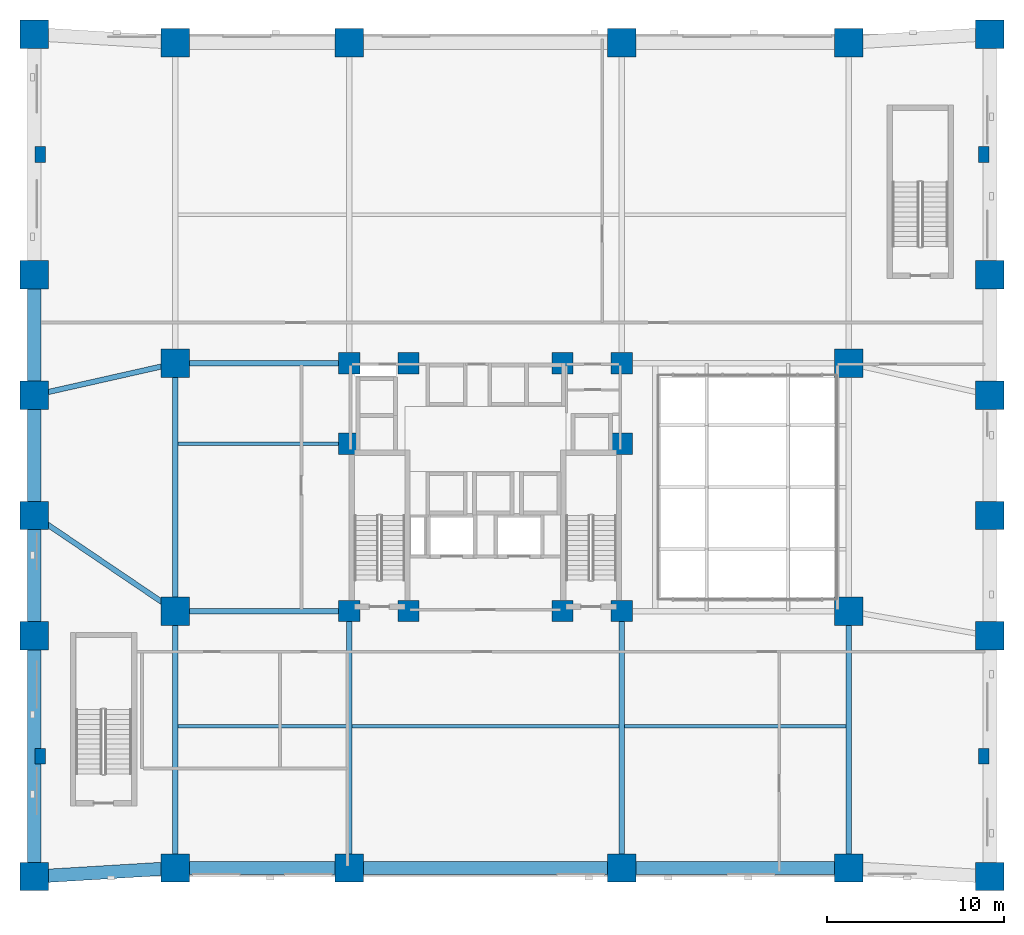
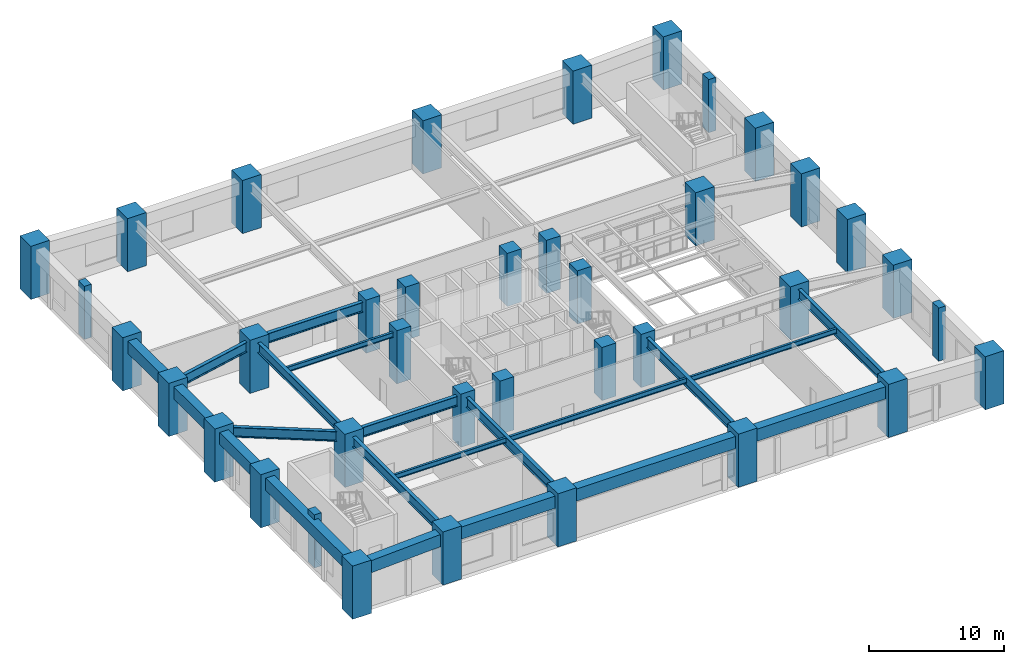
# One storey, part 1 of 11: 38 columns, 21 beams.
"""IFC4 building model written with IfcOpenShell, lengths in metres."""

from ifc_helpers import new_model, si_unit, derived_unit, direction, frame, origin, origin_2d, place, context, subcontext, project, spatial, rectangle, i_section, extrude, material, material_profile, profile_set, type_object, element, save


model = new_model("IFC4")

# Units and contexts
model_context = context("Model", 3, precision=1e-05, world=origin(), true_north=direction((0.0, 1.0)))
body_context = subcontext(model_context, "Body", "Model", "MODEL_VIEW")
ifc_project = project(units=[si_unit("LENGTHUNIT", "METRE"), si_unit("AREAUNIT", "SQUARE_METRE"), si_unit("VOLUMEUNIT", "CUBIC_METRE"), si_unit("PLANEANGLEUNIT", "RADIAN"), si_unit("MASSUNIT", "GRAM", prefix="KILO"), derived_unit("THERMALTRANSMITTANCEUNIT", [(si_unit("MASSUNIT", "GRAM", prefix="KILO"), 1), (si_unit("TIMEUNIT", "SECOND"), -3), (si_unit("THERMODYNAMICTEMPERATUREUNIT", "KELVIN"), -1)])], contexts=[model_context])

# Site, building, storey
site_placement = place(None, origin())
site = spatial("IfcSite", under=ifc_project, at=site_placement, CompositionType="ELEMENT")
building_placement = place(site_placement, origin())
building = spatial("IfcBuilding", under=site, at=building_placement, Name="Korrvale Station Residences", CompositionType="ELEMENT")
storey_placement = place(building_placement, frame((0.0, 0.0, 16.0)))
storey = spatial("IfcBuildingStorey", under=building, at=storey_placement, Name="L03", CompositionType="ELEMENT", Elevation=16.0)

# Columns
ifc_material_1 = material(Name="Concrete C70/85", Category="concrete")
ifc_material_profile_1 = material_profile(ifc_material_1, rectangle(XDim=1.199951171875, YDim=1.199951171875, at=origin_2d()), Name="RC1200x1200")
ifc_profile_set_1 = profile_set([ifc_material_profile_1], Name="Concrete C70/85")
column_type_1 = type_object("IfcColumnType", Name="COL-C-RC1200x1200-C7085", PredefinedType="COLUMN", material=ifc_profile_set_1)
for number, where, z_axis, x_axis, name in (
    (1, (17.800048828125, 15.0, 0.0), (0.0, 0.0, 1.0), (1.0, 0.0, 0.0), "L03 Core Column 25"),
    (2, (21.14990234375, 15.0, 0.0), (0.0, 0.0, 1.0), (1.0, 0.0, 0.0), "L03 Core Column 26"),
    (3, (29.85009765625, 15.0, 0.0), (0.0, 0.0, 1.0), (1.0, 0.0, 0.0), "L03 Core Column 27"),
    (4, (33.199951171875, 15.0, 0.0), (0.0, 0.0, 1.0), (1.0, 0.0, 0.0), "L03 Core Column 28"),
    (5, (17.800048828125, 29.0, 0.0), (0.0, 0.0, 1.0), (1.0, 0.0, 0.0), "L03 Core Column 29"),
    (6, (21.14990234375, 29.0, 0.0), (0.0, 0.0, 1.0), (1.0, 0.0, 0.0), "L03 Core Column 30"),
    (7, (29.85009765625, 29.0, 0.0), (0.0, 0.0, 1.0), (1.0, 0.0, 0.0), "L03 Core Column 31"),
    (8, (33.199951171875, 29.0, 0.0), (0.0, 0.0, 1.0), (1.0, 0.0, 0.0), "L03 Core Column 32"),
    (9, (17.800048828125, 24.449951171875, 0.0), (0.0, 0.0, 1.0), (1.0, 0.0, 0.0), "L03 Core Column 33"),
    (10, (33.199951171875, 24.449951171875, 0.0), (0.0, 0.0, 1.0), (1.0, 0.0, 0.0), "L03 Core Column 34"),
):
    element("IfcColumn", number, at=place(storey_placement, frame(where, z_axis=z_axis, x_axis=x_axis)), inside=storey, type_object=column_type_1, Name=name, PredefinedType="COLUMN", context=body_context, shape_type="SweptSolid", body=[
        extrude(rectangle(XDim=1.199951171875, YDim=1.199951171875, at=origin_2d()), origin(), (0.0, 0.0, 1.0), 4.800048828125),
    ])
ifc_material_profile_2 = material_profile(ifc_material_1, rectangle(XDim=1.60009765625, YDim=1.60009765625, at=origin_2d()), Name="RC1600x1600")
ifc_profile_set_2 = profile_set([ifc_material_profile_2], Name="Concrete C70/85")
column_type_2 = type_object("IfcColumnType", Name="COL-C-RC1600x1600-C7085", PredefinedType="COLUMN", material=ifc_profile_set_2)
for number, where, z_axis, x_axis, name in (
    (11, (0.0, 0.0, 0.0), (0.0, 0.0, 1.0), (1.0, 0.0, 0.0), "L03 Station Mega-Column 01"),
    (12, (0.0, 13.60009765625, 0.0), (0.0, 0.0, 1.0), (1.0, 0.0, 0.0), "L03 Station Mega-Column 02"),
    (13, (0.0, 20.39990234375, 0.0), (0.0, 0.0, 1.0), (1.0, 0.0, 0.0), "L03 Station Mega-Column 03"),
    (14, (0.0, 27.199951171875, 0.0), (0.0, 0.0, 1.0), (1.0, 0.0, 0.0), "L03 Station Mega-Column 04"),
    (15, (0.0, 34.0, 0.0), (0.0, 0.0, 1.0), (1.0, 0.0, 0.0), "L03 Station Mega-Column 05"),
    (16, (0.0, 47.60009765625, 0.0), (0.0, 0.0, 1.0), (1.0, 0.0, 0.0), "L03 Station Mega-Column 06"),
    (17, (54.0, 0.0, 0.0), (0.0, 0.0, 1.0), (1.0, 0.0, 0.0), "L03 Station Mega-Column 07"),
    (18, (54.0, 13.60009765625, 0.0), (0.0, 0.0, 1.0), (1.0, 0.0, 0.0), "L03 Station Mega-Column 08"),
    (19, (54.0, 20.39990234375, 0.0), (0.0, 0.0, 1.0), (1.0, 0.0, 0.0), "L03 Station Mega-Column 09"),
    (20, (54.0, 27.199951171875, 0.0), (0.0, 0.0, 1.0), (1.0, 0.0, 0.0), "L03 Station Mega-Column 10"),
    (21, (54.0, 34.0, 0.0), (0.0, 0.0, 1.0), (1.0, 0.0, 0.0), "L03 Station Mega-Column 11"),
    (22, (54.0, 47.60009765625, 0.0), (0.0, 0.0, 1.0), (1.0, 0.0, 0.0), "L03 Station Mega-Column 12"),
    (23, (7.97998046875, 0.47998046875, 0.0), (0.0, 0.0, 1.0), (1.0, 0.0, 0.0), "L03 Station Mega-Column 13"),
    (24, (7.97998046875, 15.0, 0.0), (0.0, 0.0, 1.0), (1.0, 0.0, 0.0), "L03 Station Mega-Column 14"),
    (25, (7.97998046875, 29.0, 0.0), (0.0, 0.0, 1.0), (1.0, 0.0, 0.0), "L03 Station Mega-Column 15"),
    (26, (7.97998046875, 47.1201171875, 0.0), (0.0, 0.0, 1.0), (1.0, 0.0, 0.0), "L03 Station Mega-Column 16"),
    (27, (46.02001953125, 0.47998046875, 0.0), (0.0, 0.0, 1.0), (1.0, 0.0, 0.0), "L03 Station Mega-Column 17"),
    (28, (46.02001953125, 15.0, 0.0), (0.0, 0.0, 1.0), (1.0, 0.0, 0.0), "L03 Station Mega-Column 18"),
    (29, (46.02001953125, 29.0, 0.0), (0.0, 0.0, 1.0), (1.0, 0.0, 0.0), "L03 Station Mega-Column 19"),
    (30, (46.02001953125, 47.1201171875, 0.0), (0.0, 0.0, 1.0), (1.0, 0.0, 0.0), "L03 Station Mega-Column 20"),
    (31, (17.800048828125, 0.47998046875, 0.0), (0.0, 0.0, 1.0), (1.0, 0.0, 0.0), "L03 Station Mega-Column 21"),
    (32, (17.800048828125, 47.1201171875, 0.0), (0.0, 0.0, 1.0), (1.0, 0.0, 0.0), "L03 Station Mega-Column 22"),
    (33, (33.199951171875, 0.47998046875, 0.0), (0.0, 0.0, 1.0), (1.0, 0.0, 0.0), "L03 Station Mega-Column 23"),
    (34, (33.199951171875, 47.1201171875, 0.0), (0.0, 0.0, 1.0), (1.0, 0.0, 0.0), "L03 Station Mega-Column 24"),
):
    element("IfcColumn", number, at=place(storey_placement, frame(where, z_axis=z_axis, x_axis=x_axis)), inside=storey, type_object=column_type_2, Name=name, PredefinedType="COLUMN", context=body_context, shape_type="SweptSolid", body=[
        extrude(rectangle(XDim=1.60009765625, YDim=1.60009765625, at=origin_2d()), origin(), (0.0, 0.0, 1.0), 4.800048828125),
    ])
ifc_material_profile_3 = material_profile(ifc_material_1, rectangle(XDim=0.60009765625, YDim=0.89990234375, at=origin_2d()), Name="RC600x900")
ifc_profile_set_3 = profile_set([ifc_material_profile_3], Name="Concrete C70/85")
column_type_3 = type_object("IfcColumnType", Name="COL-PIL-RC600x900-C7085", PredefinedType="PILASTER", material=ifc_profile_set_3)
for number, where, z_axis, x_axis, name in (
    (35, (0.35009765625, 6.800048828125, 0.0), (0.0, 0.0, 1.0), (1.0, 0.0, 0.0), "L03 Concourse Portal Wall Pilaster 1"),
    (36, (0.35009765625, 40.800048828125, 0.0), (0.0, 0.0, 1.0), (1.0, 0.0, 0.0), "L03 Concourse Portal Wall Pilaster 2"),
    (37, (53.64990234375, 6.800048828125, 0.0), (0.0, 0.0, 1.0), (1.0, 0.0, 0.0), "L03 Concourse Portal Wall Pilaster 3"),
    (38, (53.64990234375, 40.800048828125, 0.0), (0.0, 0.0, 1.0), (1.0, 0.0, 0.0), "L03 Concourse Portal Wall Pilaster 4"),
):
    element("IfcColumn", number, at=place(storey_placement, frame(where, z_axis=z_axis, x_axis=x_axis)), inside=storey, type_object=column_type_3, Name=name, PredefinedType="PILASTER", context=body_context, shape_type="SweptSolid", body=[
        extrude(rectangle(XDim=0.60009765625, YDim=0.89990234375, at=origin_2d()), origin(), (0.0, 0.0, 1.0), 4.800048828125),
    ])

# Beams
ifc_material_2 = material(Name="Steel S355", Category="steel")
ifc_material_profile_4 = material_profile(ifc_material_2, i_section(OverallWidth=0.300048828125, OverallDepth=0.89990234375, WebThickness=0.01611328125, FlangeThickness=0.030029296875, FilletRadius=0.01611328125, at=origin_2d()), Name="WWF900x262")
ifc_profile_set_4 = profile_set([ifc_material_profile_4], Name="Steel S355")
beam_type_1 = type_object("IfcBeamType", Name="BM-BM-WWF900x262-S355", PredefinedType="BEAM", material=ifc_profile_set_4)
beam_1_placement = place(storey_placement, frame((7.97998046875, 0.47998046875, 3.89990234375), z_axis=(0.0, 1.0, 0.0), x_axis=(-1.0, 0.0, 0.0)))
element("IfcBeam", 39, at=beam_1_placement, inside=storey, type_object=beam_type_1, Name="L03 Station Primary Girder 01", PredefinedType="BEAM", context=body_context, shape_type="SweptSolid", body=[
    extrude(i_section(OverallWidth=0.300048828125, OverallDepth=0.89990234375, WebThickness=0.01611328125, FlangeThickness=0.030029296875, FilletRadius=0.01611328125, at=origin_2d()), origin(), (0.0, 0.0, 1.0), 14.52001953125),
])
beam_2_placement = place(storey_placement, frame((7.97998046875, 15.0, 3.89990234375), z_axis=(0.0, 1.0, 0.0), x_axis=(-1.0, 0.0, 0.0)))
element("IfcBeam", 40, at=beam_2_placement, inside=storey, type_object=beam_type_1, Name="L03 Station Primary Girder 02", PredefinedType="BEAM", context=body_context, shape_type="SweptSolid", body=[
    extrude(i_section(OverallWidth=0.300048828125, OverallDepth=0.89990234375, WebThickness=0.01611328125, FlangeThickness=0.030029296875, FilletRadius=0.01611328125, at=origin_2d()), origin(), (0.0, 0.0, 1.0), 14.0),
])
beam_3_placement = place(storey_placement, frame((46.02001953125, 0.47998046875, 3.89990234375), z_axis=(0.0, 1.0, 0.0), x_axis=(-1.0, 0.0, 0.0)))
element("IfcBeam", 41, at=beam_3_placement, inside=storey, type_object=beam_type_1, Name="L03 Station Primary Girder 04", PredefinedType="BEAM", context=body_context, shape_type="SweptSolid", body=[
    extrude(i_section(OverallWidth=0.300048828125, OverallDepth=0.89990234375, WebThickness=0.01611328125, FlangeThickness=0.030029296875, FilletRadius=0.01611328125, at=origin_2d()), origin(), (0.0, 0.0, 1.0), 14.52001953125),
])
for number, where, z_axis, x_axis, name in (
    (42, (7.97998046875, 15.0, 3.89990234375), (1.0, 0.0, 0.0), (0.0, 1.0, 0.0), "L03 Station Primary Girder 07"),
    (43, (7.97998046875, 29.0, 3.89990234375), (1.0, 0.0, 0.0), (0.0, 1.0, 0.0), "L03 Station Primary Girder 08"),
):
    element("IfcBeam", number, at=place(storey_placement, frame(where, z_axis=z_axis, x_axis=x_axis)), inside=storey, type_object=beam_type_1, Name=name, PredefinedType="BEAM", context=body_context, shape_type="SweptSolid", body=[
        extrude(i_section(OverallWidth=0.300048828125, OverallDepth=0.89990234375, WebThickness=0.01611328125, FlangeThickness=0.030029296875, FilletRadius=0.01611328125, at=origin_2d()), origin(), (0.0, 0.0, 1.0), 9.820068359375),
    ])
beam_4_placement = place(storey_placement, frame((0.0, 20.39990234375, 3.89990234375), z_axis=(0.828202472812, -0.560428999989, 0.0), x_axis=(0.560428999989, 0.828202472812, 0.0)))
element("IfcBeam", 44, at=beam_4_placement, inside=storey, type_object=beam_type_1, Name="L03 Station Primary Girder 11", PredefinedType="BEAM", context=body_context, shape_type="SweptSolid", body=[
    extrude(i_section(OverallWidth=0.300048828125, OverallDepth=0.89990234375, WebThickness=0.01611328125, FlangeThickness=0.030029296875, FilletRadius=0.01611328125, at=origin_2d()), origin(), (0.0, 0.0, 1.0), 9.63525390625),
])
beam_5_placement = place(storey_placement, frame((0.0, 27.199951171875, 3.89990234375), z_axis=(0.975490412643, 0.220041938824, 0.0), x_axis=(-0.220041938824, 0.975490412643, 0.0)))
element("IfcBeam", 45, at=beam_5_placement, inside=storey, type_object=beam_type_1, Name="L03 Station Primary Girder 12", PredefinedType="BEAM", context=body_context, shape_type="SweptSolid", body=[
    extrude(i_section(OverallWidth=0.300048828125, OverallDepth=0.89990234375, WebThickness=0.01611328125, FlangeThickness=0.030029296875, FilletRadius=0.01611328125, at=origin_2d()), origin(), (0.0, 0.0, 1.0), 8.180419921875),
])
for number, where, z_axis, x_axis, name in (
    (46, (17.800048828125, 0.47998046875, 3.89990234375), (0.0, 1.0, 0.0), (-1.0, 0.0, 0.0), "L03 Station Primary Girder 17"),
    (47, (33.199951171875, 0.47998046875, 3.89990234375), (0.0, 1.0, 0.0), (-1.0, 0.0, 0.0), "L03 Station Primary Girder 18"),
):
    element("IfcBeam", number, at=place(storey_placement, frame(where, z_axis=z_axis, x_axis=x_axis)), inside=storey, type_object=beam_type_1, Name=name, PredefinedType="BEAM", context=body_context, shape_type="SweptSolid", body=[
        extrude(i_section(OverallWidth=0.300048828125, OverallDepth=0.89990234375, WebThickness=0.01611328125, FlangeThickness=0.030029296875, FilletRadius=0.01611328125, at=origin_2d()), origin(), (0.0, 0.0, 1.0), 14.52001953125),
    ])
ifc_material_profile_5 = material_profile(ifc_material_2, i_section(OverallWidth=0.18994140625, OverallDepth=0.45703125, WebThickness=0.009033203125, FlangeThickness=0.014404296875, FilletRadius=0.01611328125, at=origin_2d()), Name="W460x74")
ifc_profile_set_5 = profile_set([ifc_material_profile_5], Name="Steel S355")
beam_type_2 = type_object("IfcBeamType", Name="BM-JST-W460x74-S355", PredefinedType="JOIST", material=ifc_profile_set_5)
for number, where, z_axis, x_axis, name in (
    (48, (8.1298828125, 24.449951171875, 4.12158203125), (1.0, 0.0, 0.0), (0.0, 1.0, 0.0), "L03 Station Floor Joist 04"),
    (49, (8.1298828125, 8.5, 4.12158203125), (1.0, 0.0, 0.0), (0.0, 1.0, 0.0), "L03 Station Floor Joist 05"),
):
    element("IfcBeam", number, at=place(storey_placement, frame(where, z_axis=z_axis, x_axis=x_axis)), inside=storey, type_object=beam_type_2, Name=name, PredefinedType="JOIST", context=body_context, shape_type="SweptSolid", body=[
        extrude(i_section(OverallWidth=0.18994140625, OverallDepth=0.45703125, WebThickness=0.009033203125, FlangeThickness=0.014404296875, FilletRadius=0.01611328125, at=origin_2d()), origin(), (0.0, 0.0, 1.0), 9.52001953125),
    ])
beam_6_placement = place(storey_placement, frame((17.949951171875, 8.5, 4.12158203125), z_axis=(1.0, 0.0, 0.0), x_axis=(0.0, 1.0, 0.0)))
element("IfcBeam", 50, at=beam_6_placement, inside=storey, type_object=beam_type_2, Name="L03 Station Floor Joist 06", PredefinedType="JOIST", context=body_context, shape_type="SweptSolid", body=[
    extrude(i_section(OverallWidth=0.18994140625, OverallDepth=0.45703125, WebThickness=0.009033203125, FlangeThickness=0.014404296875, FilletRadius=0.01611328125, at=origin_2d()), origin(), (0.0, 0.0, 1.0), 15.10009765625),
])
beam_7_placement = place(storey_placement, frame((33.35009765625, 8.5, 4.12158203125), z_axis=(1.0, 0.0, 0.0), x_axis=(0.0, 1.0, 0.0)))
element("IfcBeam", 51, at=beam_7_placement, inside=storey, type_object=beam_type_2, Name="L03 Station Floor Joist 07", PredefinedType="JOIST", context=body_context, shape_type="SweptSolid", body=[
    extrude(i_section(OverallWidth=0.18994140625, OverallDepth=0.45703125, WebThickness=0.009033203125, FlangeThickness=0.014404296875, FilletRadius=0.01611328125, at=origin_2d()), origin(), (0.0, 0.0, 1.0), 12.52001953125),
])
ifc_material_profile_6 = material_profile(ifc_material_1, rectangle(XDim=0.75, YDim=1.10009765625, at=origin_2d()), Name="RCB750x1100")
ifc_profile_set_6 = profile_set([ifc_material_profile_6], Name="Concrete C70/85")
beam_type_3 = type_object("IfcBeamType", Name="BM-SPB-RCB750x1100-C7085", PredefinedType="SPANDREL", material=ifc_profile_set_6)
beam_8_placement = place(storey_placement, frame((0.0, 0.0, 3.800048828125), z_axis=(0.0, 1.0, 0.0), x_axis=(-1.0, 0.0, 0.0)))
element("IfcBeam", 52, at=beam_8_placement, inside=storey, type_object=beam_type_3, Name="L03 Station Spandrel Beam 01", PredefinedType="SPANDREL", context=body_context, shape_type="SweptSolid", body=[
    extrude(rectangle(XDim=0.75, YDim=1.10009765625, at=origin_2d()), origin(), (0.0, 0.0, 1.0), 13.60009765625),
])
beam_9_placement = place(storey_placement, frame((0.0, 13.60009765625, 3.800048828125), z_axis=(0.0, 1.0, 0.0), x_axis=(-1.0, 0.0, 0.0)))
element("IfcBeam", 53, at=beam_9_placement, inside=storey, type_object=beam_type_3, Name="L03 Station Spandrel Beam 02", PredefinedType="SPANDREL", context=body_context, shape_type="SweptSolid", body=[
    extrude(rectangle(XDim=0.75, YDim=1.10009765625, at=origin_2d()), origin(), (0.0, 0.0, 1.0), 6.7998046875),
])
for number, where, z_axis, x_axis, name in (
    (54, (0.0, 20.39990234375, 3.800048828125), (0.0, 1.0, 0.0), (-1.0, 0.0, 0.0), "L03 Station Spandrel Beam 03"),
    (55, (0.0, 27.199951171875, 3.800048828125), (0.0, 1.0, 0.0), (-1.0, 0.0, 0.0), "L03 Station Spandrel Beam 04"),
):
    element("IfcBeam", number, at=place(storey_placement, frame(where, z_axis=z_axis, x_axis=x_axis)), inside=storey, type_object=beam_type_3, Name=name, PredefinedType="SPANDREL", context=body_context, shape_type="SweptSolid", body=[
        extrude(rectangle(XDim=0.75, YDim=1.10009765625, at=origin_2d()), origin(), (0.0, 0.0, 1.0), 6.800048828125),
    ])
beam_10_placement = place(storey_placement, frame((0.0, 0.0, 3.800048828125), z_axis=(0.998195997903, 0.060039568374, 0.0), x_axis=(-0.060039568374, 0.998195997903, 0.0)))
element("IfcBeam", 56, at=beam_10_placement, inside=storey, type_object=beam_type_3, Name="L03 Station Spandrel Beam 11", PredefinedType="SPANDREL", context=body_context, shape_type="SweptSolid", body=[
    extrude(rectangle(XDim=0.75, YDim=1.10009765625, at=origin_2d()), origin(), (0.0, 0.0, 1.0), 7.994384765625),
])
beam_11_placement = place(storey_placement, frame((7.97998046875, 0.47998046875, 3.800048828125), z_axis=(1.0, 0.0, 0.0), x_axis=(0.0, 1.0, 0.0)))
element("IfcBeam", 57, at=beam_11_placement, inside=storey, type_object=beam_type_3, Name="L03 Station Spandrel Beam 12", PredefinedType="SPANDREL", context=body_context, shape_type="SweptSolid", body=[
    extrude(rectangle(XDim=0.75, YDim=1.10009765625, at=origin_2d()), origin(), (0.0, 0.0, 1.0), 9.820068359375),
])
beam_12_placement = place(storey_placement, frame((17.800048828125, 0.47998046875, 3.800048828125), z_axis=(1.0, 0.0, 0.0), x_axis=(0.0, 1.0, 0.0)))
element("IfcBeam", 58, at=beam_12_placement, inside=storey, type_object=beam_type_3, Name="L03 Station Spandrel Beam 13", PredefinedType="SPANDREL", context=body_context, shape_type="SweptSolid", body=[
    extrude(rectangle(XDim=0.75, YDim=1.10009765625, at=origin_2d()), origin(), (0.0, 0.0, 1.0), 15.39990234375),
])
beam_13_placement = place(storey_placement, frame((33.199951171875, 0.47998046875, 3.800048828125), z_axis=(1.0, 0.0, 0.0), x_axis=(0.0, 1.0, 0.0)))
element("IfcBeam", 59, at=beam_13_placement, inside=storey, type_object=beam_type_3, Name="L03 Station Spandrel Beam 14", PredefinedType="SPANDREL", context=body_context, shape_type="SweptSolid", body=[
    extrude(rectangle(XDim=0.75, YDim=1.10009765625, at=origin_2d()), origin(), (0.0, 0.0, 1.0), 12.820068359375),
])

save(model, "model.ifc")
